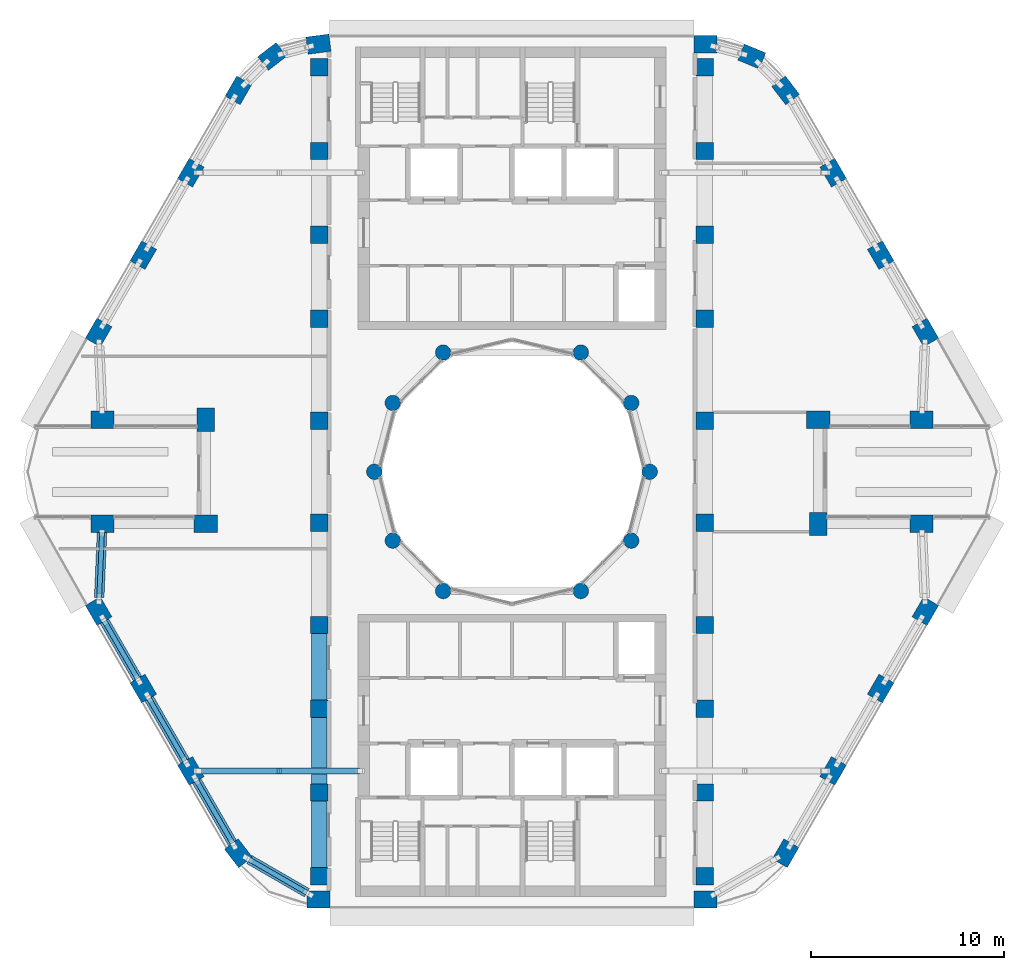
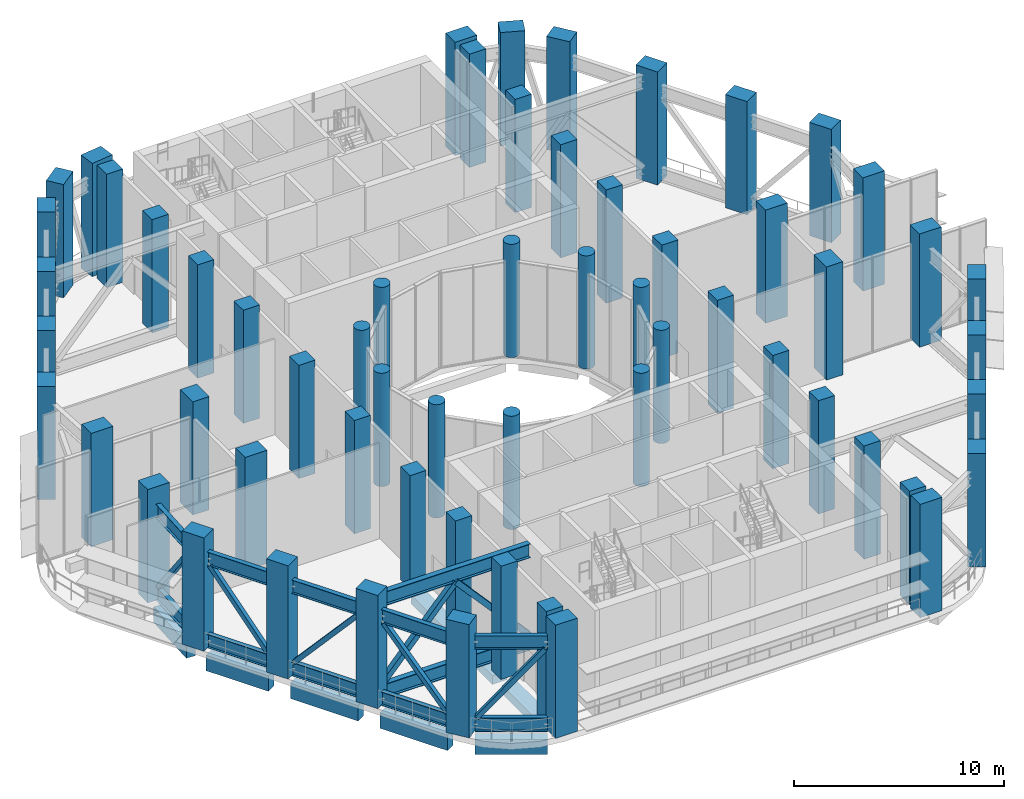
# One storey, part 1 of 19: 60 columns, 19 members, 8 beams.
"""IFC4 building model written with IfcOpenShell, lengths in metres."""

import ifcopenshell
import ifcopenshell.guid

model = None  # the IFC model being written
_history = None  # IfcOwnerHistory: only IFC2X3 demands one
_inside = {}  # id of a spatial element -> (the spatial element, [elements in it])
_under = {}  # id of a project, library or spatial element -> (it, [spatial elements below it])
_declared = {}  # id of a project -> (the project, [libraries it declares])
_typed = {}  # id of a type object -> (the type object, [elements of that type])
_made_of = {}  # id of a material, layer set ... -> (it, [elements and type objects made of it])


def new_model(schema):
    """Start an empty IFC model of exactly this schema.

    Asked for "IFC4X3", IfcOpenShell would pick the latest addendum, in which some entities
    have other attributes; the version numbers below select the first issue.
    IFC2X3 requires an IfcOwnerHistory on every rooted entity: one is made here for all.
    """
    global model, _history
    if schema == "IFC4X3":
        model = ifcopenshell.file(schema_version=(4, 3, 0, 0))
    else:
        model = ifcopenshell.file(schema=schema)
    _inside.clear()
    _under.clear()
    _declared.clear()
    _typed.clear()
    _made_of.clear()
    _history = None
    if model.schema == "IFC2X3":
        org = make("IfcOrganization", Name="unknown")
        user = make(
            "IfcPersonAndOrganization",
            ThePerson=make("IfcPerson", FamilyName="unknown"),
            TheOrganization=org,
        )
        app = make(
            "IfcApplication",
            ApplicationDeveloper=org,
            Version="unknown",
            ApplicationFullName="unknown",
            ApplicationIdentifier="unknown",
        )
        _history = make(
            "IfcOwnerHistory",
            OwningUser=user,
            OwningApplication=app,
            ChangeAction="ADDED",
            CreationDate=0,
        )
    return model


def make(cls, **values):
    """One entity of the class cls with the attributes given. An attribute that is None is left unset."""
    return model.create_entity(
        cls, **{name: value for name, value in values.items() if value is not None}
    )


def rooted(cls, **values):
    """An entity with a GlobalId (a new one), such as an element, a storey or a relation."""
    return make(cls, GlobalId=ifcopenshell.guid.new(), OwnerHistory=_history, **values)


def si_unit(unit_type, name, prefix=None):
    """IfcSIUnit, for example si_unit("LENGTHUNIT", "METRE", prefix="MILLI")."""
    return make("IfcSIUnit", UnitType=unit_type, Prefix=prefix, Name=name)


def assignment(units):
    """IfcUnitAssignment: the units of a project."""
    return None if units is None else make("IfcUnitAssignment", Units=units)


def point(xyz):
    """IfcCartesianPoint."""
    return None if xyz is None else make("IfcCartesianPoint", Coordinates=xyz)


def direction(xyz):
    """IfcDirection."""
    return None if xyz is None else make("IfcDirection", DirectionRatios=xyz)


def frame(location, z_axis=None, x_axis=None):
    """IfcAxis2Placement3D, a coordinate frame: its origin and axes. An axis left out is left unset."""
    return make(
        "IfcAxis2Placement3D",
        Location=point(location),
        Axis=direction(z_axis),
        RefDirection=direction(x_axis),
    )


def frame_2d(location, x_axis=None):
    """IfcAxis2Placement2D, a coordinate frame in the plane: its origin and x axis."""
    return make(
        "IfcAxis2Placement2D", Location=point(location), RefDirection=direction(x_axis)
    )


def origin():
    """The frame at (0, 0, 0) with its axes left unset."""
    return frame((0.0, 0.0, 0.0))


def origin_2d():
    """The frame at (0, 0) in the plane with its x axis left unset."""
    return frame_2d((0.0, 0.0))


def place(relative_to, where):
    """IfcLocalPlacement: puts the frame where relative to a parent placement (None: the world)."""
    return make(
        "IfcLocalPlacement", PlacementRelTo=relative_to, RelativePlacement=where
    )


def context(
    kind, dimensions, precision=None, world=None, true_north=None, identifier=None
):
    """IfcGeometricRepresentationContext, for example the 3D "Model" context."""
    return make(
        "IfcGeometricRepresentationContext",
        ContextIdentifier=identifier,
        ContextType=kind,
        CoordinateSpaceDimension=dimensions,
        Precision=precision,
        WorldCoordinateSystem=world,
        TrueNorth=true_north,
    )


def subcontext(parent, identifier, kind, view, scale=None):
    """IfcGeometricRepresentationSubContext, for example "Body" below "Model"."""
    return make(
        "IfcGeometricRepresentationSubContext",
        ContextIdentifier=identifier,
        ContextType=kind,
        ParentContext=parent,
        TargetScale=scale,
        TargetView=view,
    )


def project(units=None, contexts=None):
    """IfcProject with its units and contexts."""
    return rooted(
        "IfcProject",
        Name="project",
        RepresentationContexts=contexts,
        UnitsInContext=assignment(units),
    )


def spatial(cls, under=None, at=None, **own):
    """A site, building, storey or space (cls), placed at a placement, below another one or the project."""
    s = rooted(cls, ObjectPlacement=at, **own)
    if under is not None:
        _under.setdefault(under.id(), (under, []))[1].append(s)
    return s


def profile(cls, at=None, kind="AREA", **sizes):
    """A parametric profile (cls). Its sizes go by their IFC names, for example OverallWidth=200.0."""
    return make(cls, ProfileType=kind, Position=at, **sizes)


def rectangle(**sizes):
    """IfcRectangleProfileDef."""
    return profile("IfcRectangleProfileDef", **sizes)


def hollow_rectangle(**sizes):
    """IfcRectangleHollowProfileDef."""
    return profile("IfcRectangleHollowProfileDef", **sizes)


def circle(**sizes):
    """IfcCircleProfileDef."""
    return profile("IfcCircleProfileDef", **sizes)


def i_section(**sizes):
    """IfcIShapeProfileDef."""
    return profile("IfcIShapeProfileDef", **sizes)


def extrude(swept, where, along, depth):
    """IfcExtrudedAreaSolid: the profile swept, set in the frame where, extruded along a direction by depth."""
    return make(
        "IfcExtrudedAreaSolid",
        SweptArea=swept,
        Position=where,
        ExtrudedDirection=direction(along),
        Depth=depth,
    )


def shape(context_of_items, identifier, shape_type, items):
    """IfcShapeRepresentation: the items that make up one representation, for example the "Body"."""
    return make(
        "IfcShapeRepresentation",
        ContextOfItems=context_of_items,
        RepresentationIdentifier=identifier,
        RepresentationType=shape_type,
        Items=items,
    )


def material(Name=None, Category=None):
    """IfcMaterial."""
    return make("IfcMaterial", Name=Name, Category=Category)


def material_profile(
    of_material, cross_section, Name=None, Category=None, Priority=None
):
    """IfcMaterialProfile: a cross section and its material."""
    return make(
        "IfcMaterialProfile",
        Name=Name,
        Material=of_material,
        Profile=cross_section,
        Priority=Priority,
        Category=Category,
    )


def profile_set(profiles, Name=None, composite=None):
    """IfcMaterialProfileSet."""
    return make(
        "IfcMaterialProfileSet",
        Name=Name,
        MaterialProfiles=profiles,
        CompositeProfile=composite,
    )


def made_of(thing, what):
    """Note that an element or type object is made of a material, layer set ...; save() writes the relation."""
    if what is not None:
        _made_of.setdefault(what.id(), (what, []))[1].append(thing)
    return thing


def type_object(cls, material=None, **own):
    """A type object (cls), such as IfcWallType, which elements share."""
    return made_of(rooted(cls, **own), material)


def element(
    cls,
    number,
    at=None,
    inside=None,
    cuts=None,
    type_object=None,
    material=None,
    context=None,
    identifier="Body",
    shape_type=None,
    held_by="IfcProductDefinitionShape",
    body=None,
    shapes=None,
    **own,
):
    """One element of the class cls, such as IfcWall. Its Tag is "e" and its number.

    at: its placement. inside: the storey or other place that contains it. cuts: it is an
    opening in that element (IfcRelVoidsElement). A single representation is given by context,
    identifier, shape_type and body (its items); several are given by shapes. held_by: the class
    of the entity that holds the representations. save() writes the other relations.
    """
    e = rooted(cls, Tag="e%d" % number, ObjectPlacement=at, **own)
    if body is not None:
        shapes = [shape(context, identifier, shape_type, body)]
    if shapes is not None:
        e.Representation = make(held_by, Representations=shapes)
    if inside is not None:
        _inside.setdefault(inside.id(), (inside, []))[1].append(e)
    if cuts is not None:
        rooted(
            "IfcRelVoidsElement", RelatingBuildingElement=cuts, RelatedOpeningElement=e
        )
    if type_object is not None:
        _typed.setdefault(type_object.id(), (type_object, []))[1].append(e)
    return made_of(e, material)


def aggregate(whole, parts):
    """IfcRelAggregates: a whole, such as a stair, and the parts it consists of."""
    return rooted("IfcRelAggregates", RelatingObject=whole, RelatedObjects=parts)


def save(model, path):
    """Write the relations noted so far, then the file.

    IfcRelAggregates (storeys below a building ...), IfcRelContainedInSpatialStructure (elements
    in a storey), IfcRelDefinesByType, IfcRelAssociatesMaterial and IfcRelDeclares: one each for
    every whole, place, type object, material and project.
    """
    for whole, parts in _under.values():
        aggregate(whole, parts)
    for where, things in _inside.values():
        rooted(
            "IfcRelContainedInSpatialStructure",
            RelatedElements=things,
            RelatingStructure=where,
        )
    for kind, things in _typed.values():
        rooted("IfcRelDefinesByType", RelatedObjects=things, RelatingType=kind)
    for what, things in _made_of.values():
        rooted("IfcRelAssociatesMaterial", RelatedObjects=things, RelatingMaterial=what)
    for by, libraries in _declared.values():
        rooted("IfcRelDeclares", RelatingContext=by, RelatedDefinitions=libraries)
    model.write(path)


model = new_model("IFC4")

# Units and contexts
model_context = context("Model", 3, precision=1e-05, world=origin(), true_north=direction((0.0, 1.0)))
body_context = subcontext(model_context, "Body", "Model", "MODEL_VIEW")
ifc_project = project(units=[si_unit("LENGTHUNIT", "METRE"), si_unit("AREAUNIT", "SQUARE_METRE"), si_unit("VOLUMEUNIT", "CUBIC_METRE"), si_unit("PLANEANGLEUNIT", "RADIAN"), si_unit("MASSUNIT", "GRAM", prefix="KILO")], contexts=[model_context])

# Site, building, storey
site_placement = place(None, origin())
site = spatial("IfcSite", under=ifc_project, at=site_placement, CompositionType="ELEMENT")
building_placement = place(site_placement, origin())
building = spatial("IfcBuilding", under=site, at=building_placement, Name="Nakaniwa Court", CompositionType="ELEMENT")
storey_placement = place(building_placement, frame((0.0, 0.0, 219.60009765625)))
storey = spatial("IfcBuildingStorey", under=building, at=storey_placement, Name="S4", CompositionType="ELEMENT", Elevation=219.60009765625)

# Columns
ifc_material_1 = material(Name="Concrete C80/100", Category="concrete")
ifc_material_profile_1 = material_profile(ifc_material_1, rectangle(XDim=1.199951171875, YDim=0.89990234375, at=origin_2d()), Name="Concrete C80/100 RC 1200x900 perimeter column")
ifc_profile_set_1 = profile_set([ifc_material_profile_1], Name="Concrete C80/100")
column_type_1 = type_object("IfcColumnType", Name="Concrete C80/100 RC 1200x900 perimeter column", PredefinedType="COLUMN", material=ifc_profile_set_1)
for number, where, z_axis, x_axis, name in (
    (1, (69.95458984375, 102.199951171875, 0.0), (0.0, 0.0, 1.0), (-0.991442583111, -0.130543496177, 0.0), "COLUMN CO-01"),
    (2, (67.552001953125, 101.560302734375, 0.0), (0.0, 0.0, 1.0), (-0.793363965062, -0.608747582288, 0.0), "COLUMN CO-02"),
    (3, (65.796875, 99.799560546875, 0.0), (0.0, 0.0, 1.0), (-0.5, -0.866025403784, 0.0), "COLUMN CO-03"),
    (4, (63.328857421875, 95.524658203125, 0.0), (0.0, 0.0, 1.0), (-0.5, -0.866025403784, 0.0), "COLUMN CO-04"),
    (5, (60.860595703125, 91.249755859375, 0.0), (0.0, 0.0, 1.0), (-0.5, -0.866025403784, 0.0), "COLUMN CO-05"),
    (6, (58.541015625, 87.232177734375, 0.0), (0.0, 0.0, 1.0), (-0.5, -0.866025403784, 0.0), "COLUMN CO-06"),
    (7, (58.736083984375, 82.699951171875, 0.0), (0.0, 0.0, 1.0), (1.0, 0.0, 0.0), "COLUMN CO-08"),
    (8, (64.1005859375, 82.699951171875, 0.0), (0.0, 0.0, 1.0), (0.0, -1.0, 0.0), "COLUMN CO-09"),
    (9, (64.1005859375, 77.300048828125, 0.0), (0.0, 0.0, 1.0), (-1.0, 0.0, 0.0), "COLUMN CO-10"),
    (10, (58.736083984375, 77.300048828125, 0.0), (0.0, 0.0, 1.0), (-1.0, 0.0, 0.0), "COLUMN CO-11"),
    (11, (58.541015625, 72.767822265625, 0.0), (0.0, 0.0, 1.0), (0.5, -0.866025403784, 0.0), "COLUMN CO-13"),
    (12, (60.860595703125, 68.750244140625, 0.0), (0.0, 0.0, 1.0), (0.5, -0.866025403784, 0.0), "COLUMN CO-14"),
    (13, (63.328857421875, 64.475341796875, 0.0), (0.0, 0.0, 1.0), (0.5, -0.866025403784, 0.0), "COLUMN CO-15"),
    (14, (65.796875, 60.200439453125, 0.0), (0.0, 0.0, 1.0), (0.608761429009, -0.793353340291, 0.0), "COLUMN CO-16"),
    (15, (69.95458984375, 57.800048828125, 0.0), (0.0, 0.0, 1.0), (1.0, 0.0, 0.0), "COLUMN CO-17"),
    (16, (90.03955078125, 57.800048828125, 0.0), (0.0, 0.0, 1.0), (1.0, 0.0, 0.0), "COLUMN CO-21"),
    (17, (94.203125, 60.200439453125, 0.0), (0.0, 0.0, 1.0), (0.5, 0.866025403784, 0.0), "COLUMN CO-22"),
    (18, (96.671142578125, 64.475341796875, 0.0), (0.0, 0.0, 1.0), (0.5, 0.866025403784, 0.0), "COLUMN CO-23"),
    (19, (99.139404296875, 68.750244140625, 0.0), (0.0, 0.0, 1.0), (0.5, 0.866025403784, 0.0), "COLUMN CO-24"),
    (20, (101.458984375, 72.767822265625, 0.0), (0.0, 0.0, 1.0), (0.5, 0.866025403784, 0.0), "COLUMN CO-25"),
    (21, (101.263916015625, 77.300048828125, 0.0), (0.0, 0.0, 1.0), (-1.0, 0.0, 0.0), "COLUMN CO-27"),
    (22, (95.8994140625, 77.300048828125, 0.0), (0.0, 0.0, 1.0), (0.0, 1.0, 0.0), "COLUMN CO-28"),
    (23, (95.8994140625, 82.699951171875, 0.0), (0.0, 0.0, 1.0), (1.0, 0.0, 0.0), "COLUMN CO-29"),
    (24, (101.263916015625, 82.699951171875, 0.0), (0.0, 0.0, 1.0), (1.0, 0.0, 0.0), "COLUMN CO-30"),
    (25, (101.458984375, 87.232177734375, 0.0), (0.0, 0.0, 1.0), (-0.5, 0.866025403784, 0.0), "COLUMN CO-32"),
    (26, (99.139404296875, 91.249755859375, 0.0), (0.0, 0.0, 1.0), (-0.5, 0.866025403784, 0.0), "COLUMN CO-33"),
    (27, (96.671142578125, 95.524658203125, 0.0), (0.0, 0.0, 1.0), (-0.5, 0.866025403784, 0.0), "COLUMN CO-34"),
    (28, (94.203125, 99.799560546875, 0.0), (0.0, 0.0, 1.0), (-0.608761429009, 0.793353340291, 0.0), "COLUMN CO-35"),
    (29, (92.447998046875, 101.560302734375, 0.0), (0.0, 0.0, 1.0), (-0.923879532511, 0.382683432365, 0.0), "COLUMN CO-36"),
    (30, (90.04541015625, 102.199951171875, 0.0), (0.0, 0.0, 1.0), (-1.0, 0.0, 0.0), "COLUMN CO-37"),
):
    element("IfcColumn", number, at=place(storey_placement, frame(where, z_axis=z_axis, x_axis=x_axis)), inside=storey, type_object=column_type_1, Name=name, PredefinedType="COLUMN", context=body_context, shape_type="SweptSolid", body=[
        extrude(rectangle(XDim=1.199951171875, YDim=0.89990234375, at=origin_2d()), origin(), (0.0, 0.0, 1.0), 6.599853515625),
    ])
ifc_material_profile_2 = material_profile(ifc_material_1, rectangle(XDim=0.89990234375, YDim=0.89990234375, at=origin_2d()), Name="Concrete C80/100 RC 900x900 spine column")
ifc_profile_set_2 = profile_set([ifc_material_profile_2], Name="Concrete C80/100")
column_type_2 = type_object("IfcColumnType", Name="Concrete C80/100 RC 900x900 spine column", PredefinedType="COLUMN", material=ifc_profile_set_2)
for number, where, z_axis, x_axis, name in (
    (31, (90.0, 59.0, 0.0), (0.0, 0.0, 1.0), (0.0, 1.0, 0.0), "COLUMN CS-01"),
    (32, (90.0, 63.35009765625, 0.0), (0.0, 0.0, 1.0), (0.0, 1.0, 0.0), "COLUMN CS-02"),
    (33, (90.0, 67.699951171875, 0.0), (0.0, 0.0, 1.0), (0.0, 1.0, 0.0), "COLUMN CS-03"),
    (34, (90.0, 72.050048828125, 0.0), (0.0, 0.0, 1.0), (0.0, 1.0, 0.0), "COLUMN CS-04"),
    (35, (90.0, 77.35009765625, 0.0), (0.0, 0.0, 1.0), (0.0, 1.0, 0.0), "COLUMN CS-05"),
    (36, (90.0, 82.64990234375, 0.0), (0.0, 0.0, 1.0), (0.0, 1.0, 0.0), "COLUMN CS-06"),
    (37, (90.0, 87.949951171875, 0.0), (0.0, 0.0, 1.0), (0.0, 1.0, 0.0), "COLUMN CS-07"),
    (38, (90.0, 92.300048828125, 0.0), (0.0, 0.0, 1.0), (0.0, 1.0, 0.0), "COLUMN CS-08"),
    (39, (90.0, 96.64990234375, 0.0), (0.0, 0.0, 1.0), (0.0, 1.0, 0.0), "COLUMN CS-09"),
    (40, (90.0, 101.0, 0.0), (0.0, 0.0, 1.0), (0.0, 1.0, 0.0), "COLUMN CS-10"),
    (41, (70.0, 101.0, 0.0), (0.0, 0.0, 1.0), (0.0, -1.0, 0.0), "COLUMN CS-11"),
    (42, (70.0, 96.64990234375, 0.0), (0.0, 0.0, 1.0), (0.0, -1.0, 0.0), "COLUMN CS-12"),
    (43, (70.0, 92.300048828125, 0.0), (0.0, 0.0, 1.0), (0.0, -1.0, 0.0), "COLUMN CS-13"),
    (44, (70.0, 87.949951171875, 0.0), (0.0, 0.0, 1.0), (0.0, -1.0, 0.0), "COLUMN CS-14"),
    (45, (70.0, 82.64990234375, 0.0), (0.0, 0.0, 1.0), (0.0, -1.0, 0.0), "COLUMN CS-15"),
    (46, (70.0, 77.35009765625, 0.0), (0.0, 0.0, 1.0), (0.0, -1.0, 0.0), "COLUMN CS-16"),
    (47, (70.0, 72.050048828125, 0.0), (0.0, 0.0, 1.0), (0.0, -1.0, 0.0), "COLUMN CS-17"),
    (48, (70.0, 67.699951171875, 0.0), (0.0, 0.0, 1.0), (0.0, -1.0, 0.0), "COLUMN CS-18"),
    (49, (70.0, 63.35009765625, 0.0), (0.0, 0.0, 1.0), (0.0, -1.0, 0.0), "COLUMN CS-19"),
    (50, (70.0, 59.0, 0.0), (0.0, 0.0, 1.0), (0.0, -1.0, 0.0), "COLUMN CS-20"),
):
    element("IfcColumn", number, at=place(storey_placement, frame(where, z_axis=z_axis, x_axis=x_axis)), inside=storey, type_object=column_type_2, Name=name, PredefinedType="COLUMN", context=body_context, shape_type="SweptSolid", body=[
        extrude(rectangle(XDim=0.89990234375, YDim=0.89990234375, at=origin_2d()), origin(), (0.0, 0.0, 1.0), 6.599853515625),
    ])
ifc_material_profile_3 = material_profile(ifc_material_1, circle(Radius=0.39990234375, at=origin_2d()), Name="Concrete C80/100 RC D800 inner ring column")
ifc_profile_set_3 = profile_set([ifc_material_profile_3], Name="Concrete C80/100")
column_type_3 = type_object("IfcColumnType", Name="Concrete C80/100 RC D800 inner ring column", PredefinedType="COLUMN", material=ifc_profile_set_3)
for number, where, z_axis, x_axis, name in (
    (51, (87.14990234375, 80.0, 0.0), (0.0, 0.0, 1.0), (0.0, 1.0, 0.0), "COLUMN CI-01"),
    (52, (86.192138671875, 83.574951171875, 0.0), (0.0, 0.0, 1.0), (-0.5, 0.866025403784, 0.0), "COLUMN CI-02"),
    (53, (83.574951171875, 86.192138671875, 0.0), (0.0, 0.0, 1.0), (-0.866025403784, 0.5, 0.0), "COLUMN CI-03"),
    (54, (76.425048828125, 86.192138671875, 0.0), (0.0, 0.0, 1.0), (-0.866025403784, -0.5, 0.0), "COLUMN CI-05"),
    (55, (73.807861328125, 83.574951171875, 0.0), (0.0, 0.0, 1.0), (-0.5, -0.866025403784, 0.0), "COLUMN CI-06"),
    (56, (72.85009765625, 80.0, 0.0), (0.0, 0.0, 1.0), (0.0, -1.0, 0.0), "COLUMN CI-07"),
    (57, (73.807861328125, 76.425048828125, 0.0), (0.0, 0.0, 1.0), (0.5, -0.866025403784, 0.0), "COLUMN CI-08"),
    (58, (76.425048828125, 73.807861328125, 0.0), (0.0, 0.0, 1.0), (0.866025403784, -0.5, 0.0), "COLUMN CI-09"),
    (59, (83.574951171875, 73.807861328125, 0.0), (0.0, 0.0, 1.0), (0.866025403784, 0.5, 0.0), "COLUMN CI-11"),
    (60, (86.192138671875, 76.425048828125, 0.0), (0.0, 0.0, 1.0), (0.5, 0.866025403784, 0.0), "COLUMN CI-12"),
):
    element("IfcColumn", number, at=place(storey_placement, frame(where, z_axis=z_axis, x_axis=x_axis)), inside=storey, type_object=column_type_3, Name=name, PredefinedType="COLUMN", context=body_context, shape_type="SweptSolid", body=[
        extrude(circle(Radius=0.39990234375, at=origin_2d()), origin(), (0.0, 0.0, 1.0), 6.599853515625),
    ])

# Members
ifc_material_2 = material(Name="Steel Grade 350", Category="steel")
ifc_material_profile_4 = material_profile(ifc_material_2, i_section(OverallWidth=0.25, OverallDepth=0.7919921875, WebThickness=0.010009765625, FlangeThickness=0.01611328125, at=origin_2d()), Name="800WB122")
ifc_profile_set_4 = profile_set([ifc_material_profile_4], Name="Steel Grade 350")
member_type_1 = type_object("IfcMemberType", Name="BELT chord 800 WB122", PredefinedType="CHORD", material=ifc_profile_set_4)
for number, where, z_axis, x_axis, name in (
    (61, (58.716552734375, 76.85009765625, 0.39599609375), (-0.042897265713, -0.999079488627, 0.0), (0.999079488627, -0.042897265713, 0.0), "BELT CHORD BT-07-B"),
    (62, (58.716552734375, 76.85009765625, 5.19384765625), (-0.042897265713, -0.999079488627, 0.0), (0.999079488627, -0.042897265713, 0.0), "BELT CHORD BT-07-T"),
):
    element("IfcMember", number, at=place(storey_placement, frame(where, z_axis=z_axis, x_axis=x_axis)), inside=storey, type_object=member_type_1, Name=name, PredefinedType="CHORD", context=body_context, shape_type="SweptSolid", body=[
        extrude(i_section(OverallWidth=0.25, OverallDepth=0.7919921875, WebThickness=0.010009765625, FlangeThickness=0.01611328125, at=origin_2d()), origin(), (0.0, 0.0, 1.0), 3.375),
    ])
for number, where, z_axis, x_axis, name in (
    (63, (58.841064453125, 72.248291015625, 0.39599609375), (0.500048133448, -0.865997612142, 0.0), (0.865997612142, 0.500048133448, 0.0), "BELT CHORD BT-08-B"),
    (64, (58.841064453125, 72.248291015625, 5.19384765625), (0.500048133448, -0.865997612142, 0.0), (0.865997612142, 0.500048133448, 0.0), "BELT CHORD BT-08-T"),
):
    element("IfcMember", number, at=place(storey_placement, frame(where, z_axis=z_axis, x_axis=x_axis)), inside=storey, type_object=member_type_1, Name=name, PredefinedType="CHORD", context=body_context, shape_type="SweptSolid", body=[
        extrude(i_section(OverallWidth=0.25, OverallDepth=0.7919921875, WebThickness=0.010009765625, FlangeThickness=0.01611328125, at=origin_2d()), origin(), (0.0, 0.0, 1.0), 3.439208984375),
    ])
for number, where, z_axis, x_axis, name in (
    (65, (61.16064453125, 68.230712890625, 0.39599609375), (0.500018470369, -0.866014739649, 0.0), (0.866014739649, 0.500018470369, 0.0), "BELT CHORD BT-09-B"),
    (66, (61.16064453125, 68.230712890625, 5.19384765625), (0.500018470369, -0.866014739649, 0.0), (0.866014739649, 0.500018470369, 0.0), "BELT CHORD BT-09-T"),
):
    element("IfcMember", number, at=place(storey_placement, frame(where, z_axis=z_axis, x_axis=x_axis)), inside=storey, type_object=member_type_1, Name=name, PredefinedType="CHORD", context=body_context, shape_type="SweptSolid", body=[
        extrude(i_section(OverallWidth=0.25, OverallDepth=0.7919921875, WebThickness=0.010009765625, FlangeThickness=0.01611328125, at=origin_2d()), origin(), (0.0, 0.0, 1.0), 3.736083984375),
    ])
for number, where, z_axis, x_axis, name in (
    (67, (63.62890625, 63.955810546875, 0.39599609375), (0.499988672538, -0.866031943599, 0.0), (0.866031943599, 0.499988672538, 0.0), "BELT CHORD BT-10-B"),
    (68, (63.62890625, 63.955810546875, 5.19384765625), (0.499988672538, -0.866031943599, 0.0), (0.866031943599, 0.499988672538, 0.0), "BELT CHORD BT-10-T"),
):
    element("IfcMember", number, at=place(storey_placement, frame(where, z_axis=z_axis, x_axis=x_axis)), inside=storey, type_object=member_type_1, Name=name, PredefinedType="CHORD", context=body_context, shape_type="SweptSolid", body=[
        extrude(i_section(OverallWidth=0.25, OverallDepth=0.7919921875, WebThickness=0.010009765625, FlangeThickness=0.01611328125, at=origin_2d()), origin(), (0.0, 0.0, 1.0), 3.73095703125),
    ])
for number, where, z_axis, x_axis, name in (
    (69, (66.359375, 59.875732421875, 0.39599609375), (0.866041005548, -0.49997297598, 0.0), (0.49997297598, 0.866041005548, 0.0), "BELT CHORD BT-11-B"),
    (70, (66.359375, 59.875732421875, 5.19384765625), (0.866041005548, -0.49997297598, 0.0), (0.49997297598, 0.866041005548, 0.0), "BELT CHORD BT-11-T"),
):
    element("IfcMember", number, at=place(storey_placement, frame(where, z_axis=z_axis, x_axis=x_axis)), inside=storey, type_object=member_type_1, Name=name, PredefinedType="CHORD", context=body_context, shape_type="SweptSolid", body=[
        extrude(i_section(OverallWidth=0.25, OverallDepth=0.7919921875, WebThickness=0.010009765625, FlangeThickness=0.01611328125, at=origin_2d()), origin(), (0.0, 0.0, 1.0), 3.458740234375),
    ])
ifc_material_profile_5 = material_profile(ifc_material_2, hollow_rectangle(XDim=0.25, YDim=0.25, WallThickness=0.012451171875, at=origin_2d()), Name="BELT diagonal 250x250x12.5 SHS")
ifc_profile_set_5 = profile_set([ifc_material_profile_5], Name="Steel Grade 350")
member_type_2 = type_object("IfcMemberType", Name="BELT diagonal 250x250x12.5 SHS", PredefinedType="BRACE", material=ifc_profile_set_5)
member_1_placement = place(storey_placement, frame((58.71240234375, 76.75, 0.7919921875), z_axis=(-0.026700087947, -0.620550165671, 0.783712062679), x_axis=(0.999075644334, -0.042986706064, 0.0)))
element("IfcMember", 71, at=member_1_placement, inside=storey, type_object=member_type_2, Name="BELT DIAGONAL BT-07-D", PredefinedType="BRACE", context=body_context, shape_type="SweptSolid", body=[
    extrude(hollow_rectangle(XDim=0.25, YDim=0.25, WallThickness=0.012451171875, at=origin_2d()), origin(), (0.0, 0.0, 1.0), 5.111328125),
])
member_2_placement = place(storey_placement, frame((58.89111328125, 72.16162109375, 4.7978515625), z_axis=(0.314392570188, -0.544523761149, -0.77759320043), x_axis=(0.86601739438, 0.500013872438, 0.0)))
element("IfcMember", 72, at=member_2_placement, inside=storey, type_object=member_type_2, Name="BELT DIAGONAL BT-08-D", PredefinedType="BRACE", context=body_context, shape_type="SweptSolid", body=[
    extrude(hollow_rectangle(XDim=0.25, YDim=0.25, WallThickness=0.012451171875, at=origin_2d()), origin(), (0.0, 0.0, 1.0), 5.151611328125),
])
member_3_placement = place(storey_placement, frame((61.210693359375, 68.14404296875, 0.7919921875), z_axis=(0.330888185123, -0.573137447415, 0.749684250413), x_axis=(0.866033827394, 0.499985409597, 0.0)))
element("IfcMember", 73, at=member_3_placement, inside=storey, type_object=member_type_2, Name="BELT DIAGONAL BT-09-D", PredefinedType="BRACE", context=body_context, shape_type="SweptSolid", body=[
    extrude(hollow_rectangle(XDim=0.25, YDim=0.25, WallThickness=0.012451171875, at=origin_2d()), origin(), (0.0, 0.0, 1.0), 5.343505859375),
])
member_4_placement = place(storey_placement, frame((63.6787109375, 63.869140625, 4.7978515625), z_axis=(0.330645694159, -0.572640669156, -0.750170706548), x_axis=(0.866004808378, 0.500035670594, 0.0)))
element("IfcMember", 74, at=member_4_placement, inside=storey, type_object=member_type_2, Name="BELT DIAGONAL BT-10-D", PredefinedType="BRACE", context=body_context, shape_type="SweptSolid", body=[
    extrude(hollow_rectangle(XDim=0.25, YDim=0.25, WallThickness=0.012451171875, at=origin_2d()), origin(), (0.0, 0.0, 1.0), 5.33984375),
])
member_5_placement = place(storey_placement, frame((66.44580078125, 59.82568359375, 0.7919921875), z_axis=(0.546525776416, -0.315528808979, 0.775726205834), x_axis=(0.499990498062, 0.866030889661, 0.0)))
element("IfcMember", 75, at=member_5_placement, inside=storey, type_object=member_type_2, Name="BELT DIAGONAL BT-11-D", PredefinedType="BRACE", context=body_context, shape_type="SweptSolid", body=[
    extrude(hollow_rectangle(XDim=0.25, YDim=0.25, WallThickness=0.012451171875, at=origin_2d()), origin(), (0.0, 0.0, 1.0), 5.1640625),
])

# Beams
ifc_material_profile_6 = material_profile(ifc_material_1, rectangle(XDim=0.5, YDim=0.89990234375, at=origin_2d()), Name="Concrete C80/100 RC 500x900 spandrel beam")
ifc_profile_set_6 = profile_set([ifc_material_profile_6], Name="Concrete C80/100")
beam_type_1 = type_object("IfcBeamType", Name="Concrete C80/100 RC 500x900 spandrel beam", PredefinedType="BEAM", material=ifc_profile_set_6)
beam_1_placement = place(storey_placement, frame((58.716552734375, 76.85009765625, -0.800048828125), z_axis=(-0.042897265713, -0.999079488627, 0.0), x_axis=(0.999079488627, -0.042897265713, 0.0)))
element("IfcBeam", 76, at=beam_1_placement, inside=storey, type_object=beam_type_1, Name="SPANDREL BEAM", PredefinedType="BEAM", context=body_context, shape_type="SweptSolid", body=[
    extrude(rectangle(XDim=0.5, YDim=0.89990234375, at=origin_2d()), origin(), (0.0, 0.0, 1.0), 3.375),
])
beam_2_placement = place(storey_placement, frame((58.841064453125, 72.248291015625, -0.800048828125), z_axis=(0.500048133448, -0.865997612142, 0.0), x_axis=(0.865997612142, 0.500048133448, 0.0)))
element("IfcBeam", 77, at=beam_2_placement, inside=storey, type_object=beam_type_1, Name="SPANDREL BEAM", PredefinedType="BEAM", context=body_context, shape_type="SweptSolid", body=[
    extrude(rectangle(XDim=0.5, YDim=0.89990234375, at=origin_2d()), origin(), (0.0, 0.0, 1.0), 3.439208984375),
])
beam_3_placement = place(storey_placement, frame((61.16064453125, 68.230712890625, -0.800048828125), z_axis=(0.500018470369, -0.866014739649, 0.0), x_axis=(0.866014739649, 0.500018470369, 0.0)))
element("IfcBeam", 78, at=beam_3_placement, inside=storey, type_object=beam_type_1, Name="SPANDREL BEAM", PredefinedType="BEAM", context=body_context, shape_type="SweptSolid", body=[
    extrude(rectangle(XDim=0.5, YDim=0.89990234375, at=origin_2d()), origin(), (0.0, 0.0, 1.0), 3.736083984375),
])
beam_4_placement = place(storey_placement, frame((63.62890625, 63.955810546875, -0.800048828125), z_axis=(0.499988672538, -0.866031943599, 0.0), x_axis=(0.866031943599, 0.499988672538, 0.0)))
element("IfcBeam", 79, at=beam_4_placement, inside=storey, type_object=beam_type_1, Name="SPANDREL BEAM", PredefinedType="BEAM", context=body_context, shape_type="SweptSolid", body=[
    extrude(rectangle(XDim=0.5, YDim=0.89990234375, at=origin_2d()), origin(), (0.0, 0.0, 1.0), 3.73095703125),
])
beam_5_placement = place(storey_placement, frame((66.359375, 59.875732421875, -0.800048828125), z_axis=(0.866041005548, -0.49997297598, 0.0), x_axis=(0.49997297598, 0.866041005548, 0.0)))
element("IfcBeam", 80, at=beam_5_placement, inside=storey, type_object=beam_type_1, Name="SPANDREL BEAM", PredefinedType="BEAM", context=body_context, shape_type="SweptSolid", body=[
    extrude(rectangle(XDim=0.5, YDim=0.89990234375, at=origin_2d()), origin(), (0.0, 0.0, 1.0), 3.458740234375),
])
ifc_material_profile_7 = material_profile(ifc_material_1, rectangle(XDim=0.800048828125, YDim=0.5, at=origin_2d()), Name="Concrete C80/100 RC 800x500 ring beam")
ifc_profile_set_7 = profile_set([ifc_material_profile_7], Name="Concrete C80/100")
beam_type_2 = type_object("IfcBeamType", Name="Concrete C80/100 RC 800x500 ring beam", PredefinedType="BEAM", material=ifc_profile_set_7)
beam_6_placement = place(storey_placement, frame((70.0, 71.60009765625, -0.60009765625), z_axis=(0.0, -1.0, 0.0), x_axis=(1.0, 0.0, 0.0)))
element("IfcBeam", 81, at=beam_6_placement, inside=storey, type_object=beam_type_2, Name="RING BEAM", PredefinedType="BEAM", context=body_context, shape_type="SweptSolid", body=[
    extrude(rectangle(XDim=0.800048828125, YDim=0.5, at=origin_2d()), origin(), (0.0, 0.0, 1.0), 3.4501953125),
])
for number, where, z_axis, x_axis, name in (
    (82, (70.0, 67.25, -0.60009765625), (0.0, -1.0, 0.0), (1.0, 0.0, 0.0), "RING BEAM"),
    (83, (70.0, 62.89990234375, -0.60009765625), (0.0, -1.0, 0.0), (1.0, 0.0, 0.0), "RING BEAM"),
):
    element("IfcBeam", number, at=place(storey_placement, frame(where, z_axis=z_axis, x_axis=x_axis)), inside=storey, type_object=beam_type_2, Name=name, PredefinedType="BEAM", context=body_context, shape_type="SweptSolid", body=[
        extrude(rectangle(XDim=0.800048828125, YDim=0.5, at=origin_2d()), origin(), (0.0, 0.0, 1.0), 3.449951171875),
    ])

# Members
ifc_material_profile_8 = material_profile(ifc_material_2, i_section(OverallWidth=0.300048828125, OverallDepth=0.81591796875, WebThickness=0.010009765625, FlangeThickness=0.028076171875, at=origin_2d()), Name="800WB192")
ifc_profile_set_8 = profile_set([ifc_material_profile_8], Name="Steel Grade 350")
member_type_3 = type_object("IfcMemberType", Name="OUTRIGGER chord 800 WB192", PredefinedType="CHORD", material=ifc_profile_set_8)
for number, where, z_axis, x_axis, name in (
    (84, (72.0, 64.475341796875, 0.407958984375), (-1.0, 0.0, 0.0), (0.0, -1.0, 0.0), "OUTRIGGER CHORD OT-04-B"),
    (85, (72.0, 64.475341796875, 5.781982421875), (-1.0, 0.0, 0.0), (0.0, -1.0, 0.0), "OUTRIGGER CHORD OT-04-T"),
):
    element("IfcMember", number, at=place(storey_placement, frame(where, z_axis=z_axis, x_axis=x_axis)), inside=storey, type_object=member_type_3, Name=name, PredefinedType="CHORD", context=body_context, shape_type="SweptSolid", body=[
        extrude(i_section(OverallWidth=0.300048828125, OverallDepth=0.81591796875, WebThickness=0.010009765625, FlangeThickness=0.028076171875, at=origin_2d()), origin(), (0.0, 0.0, 1.0), 8.151611328125),
    ])
ifc_material_profile_9 = material_profile(ifc_material_2, hollow_rectangle(XDim=0.300048828125, YDim=0.300048828125, WallThickness=0.01611328125, at=origin_2d()), Name="OUTRIGGER diagonal 300x300x16 SHS")
ifc_profile_set_9 = profile_set([ifc_material_profile_9], Name="Steel Grade 350")
member_type_4 = type_object("IfcMemberType", Name="OUTRIGGER diagonal 300x300x16 SHS", PredefinedType="BRACE", material=ifc_profile_set_9)
member_6_placement = place(storey_placement, frame((72.0, 64.475341796875, 0.81591796875), z_axis=(-0.666556732169, 0.0, 0.745454306313), x_axis=(0.0, -1.0, 0.0)))
element("IfcMember", 86, at=member_6_placement, inside=storey, type_object=member_type_4, Name="OUTRIGGER DIAGONAL OT-04-D1", PredefinedType="BRACE", context=body_context, shape_type="SweptSolid", body=[
    extrude(hollow_rectangle(XDim=0.300048828125, YDim=0.300048828125, WallThickness=0.01611328125, at=origin_2d()), origin(), (0.0, 0.0, 1.0), 6.114501953125),
])
member_7_placement = place(storey_placement, frame((67.92431640625, 64.475341796875, 5.3740234375), z_axis=(-0.666578919314, 0.0, -0.745434466822), x_axis=(0.0, -1.0, 0.0)))
element("IfcMember", 87, at=member_7_placement, inside=storey, type_object=member_type_4, Name="OUTRIGGER DIAGONAL OT-04-D2", PredefinedType="BRACE", context=body_context, shape_type="SweptSolid", body=[
    extrude(hollow_rectangle(XDim=0.300048828125, YDim=0.300048828125, WallThickness=0.01611328125, at=origin_2d()), origin(), (0.0, 0.0, 1.0), 6.11474609375),
])

save(model, "model.ifc")
